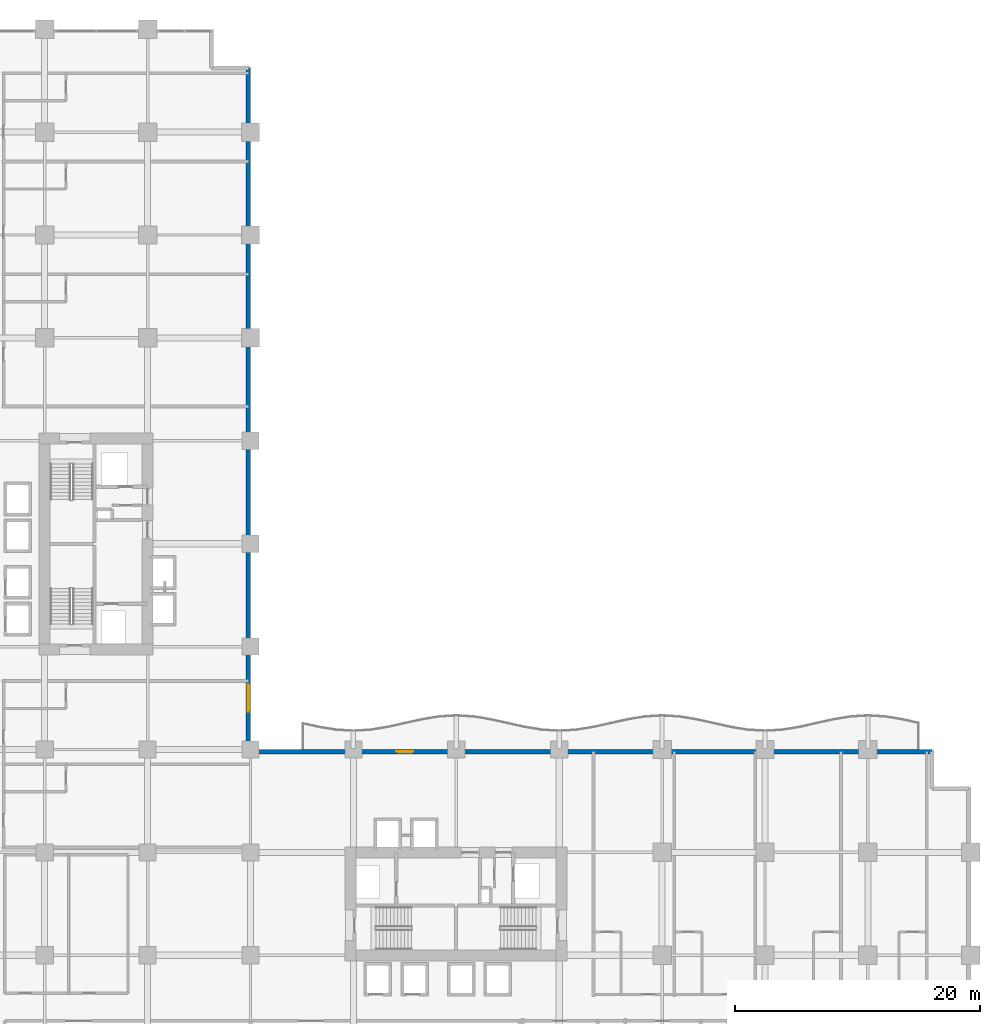
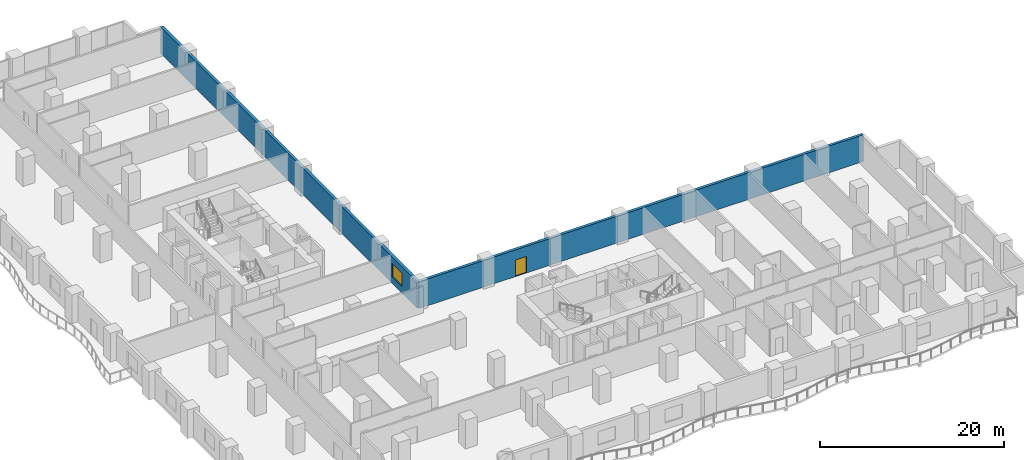
# One storey, part 12 of 21: 2 walls, 1 door, 1 window, 2 openings.
"""IFC4 building model written with IfcOpenShell, lengths in metres."""

from ifc_helpers import new_model, si_unit, direction, frame, frame_2d, origin, place, context, subcontext, project, spatial, rectangle, extrude, material, layer, layer_set, type_object, element, fill, save


model = new_model("IFC4")

# Units and contexts
model_context = context("Model", 3, precision=1e-05, world=origin(), true_north=direction((0.0, 1.0)))
body_context = subcontext(model_context, "Body", "Model", "MODEL_VIEW")
ifc_project = project(units=[si_unit("LENGTHUNIT", "METRE"), si_unit("AREAUNIT", "SQUARE_METRE"), si_unit("VOLUMEUNIT", "CUBIC_METRE"), si_unit("PLANEANGLEUNIT", "RADIAN"), si_unit("MASSUNIT", "GRAM", prefix="KILO")], contexts=[model_context])

# Site, building, storey
site_placement = place(None, origin())
site = spatial("IfcSite", under=ifc_project, at=site_placement, CompositionType="ELEMENT")
building_placement = place(site_placement, origin())
building = spatial("IfcBuilding", under=site, at=building_placement, Name="Koriwani Terraces Tower", CompositionType="ELEMENT")
storey_placement = place(building_placement, frame((0.0, 0.0, 77.60009765625)))
storey = spatial("IfcBuildingStorey", under=building, at=storey_placement, Name="L18", CompositionType="ELEMENT", Elevation=77.60009765625)

# Wall, opening, window
ifc_material_1 = material(Name="Concrete C50/60", Category="concrete")
ifc_layer = layer(ifc_material_1, 0.35009765625, Name="Concrete C50/60")
ifc_layer_set = layer_set([ifc_layer], Name="Concrete C50/60")
wall_type = type_object("IfcWallType", Name="WALL_EXT_BRUTALIST_350", PredefinedType="STANDARD", material=ifc_layer_set)
wall_1_placement = place(storey_placement, frame((33.425048828125, 89.22509765625, 0.0), z_axis=(0.0, 0.0, 1.0), x_axis=(0.0, -1.0, 0.0)))
wall_1 = element("IfcWall", 1, at=wall_1_placement, inside=storey, type_object=wall_type, Name="L18 Fair-Faced Brutalist Exterior Wall (NW_IN)", PredefinedType="STANDARD", context=body_context, shape_type="SweptSolid", body=[
    extrude(rectangle(XDim=55.800048828125, YDim=0.35009765625, at=frame_2d((27.89990234375, 0.0))), origin(), (0.0, 0.0, 1.0), 3.5498046875),
])
opening_1_placement = place(wall_1_placement, frame((50.324951171875, 0.0, 0.85009765625)))
opening_1 = element("IfcOpeningElement", 2, at=opening_1_placement, cuts=wall_1, Name="Opening W-01", PredefinedType="OPENING", context=body_context, shape_type="SweptSolid", body=[
    extrude(rectangle(XDim=2.199951171875, YDim=1.800048828125, at=frame_2d((1.10009765625, 0.89990234375))), frame((0.0, 0.18505859375, 0.0), z_axis=(0.0, -1.0, 0.0), x_axis=(1.0, 0.0, 0.0)), (0.0, 0.0, 1.0), 0.3701171875),
])
ifc_material_2 = material(Name="Tempered Laminated Low-E Glass", Category="glass")
window_type = type_object("IfcWindowType", Name="WIN_HOTEL_STD_2200X1800", PartitioningType="DOUBLE_PANEL_VERTICAL", PredefinedType="WINDOW", material=ifc_material_2)
window_placement = place(opening_1_placement, origin())
window = element("IfcWindow", 3, at=window_placement, inside=storey, type_object=window_type, Name="L18 Exterior Window (NW_IN-2)", OverallHeight=1.800048828125, OverallWidth=2.199951171875, PartitioningType="SINGLE_PANEL", PredefinedType="WINDOW", context=body_context, shape_type="SweptSolid", body=[
    extrude(rectangle(XDim=2.199951171875, YDim=1.800048828125, at=frame_2d((1.10009765625, 0.89990234375))), frame((0.0, 0.030029296875, 0.0), z_axis=(0.0, -1.0, 0.0), x_axis=(1.0, 0.0, 0.0)), (0.0, 0.0, 1.0), 0.06005859375),
])
fill(opening_1, window)

# Wall, opening, door
wall_2_placement = place(storey_placement, frame((33.425048828125, 33.425048828125, 0.0), z_axis=(0.0, 0.0, 1.0), x_axis=(1.0, 0.0, 0.0)))
wall_2 = element("IfcWall", 4, at=wall_2_placement, inside=storey, type_object=wall_type, Name="L18 Fair-Faced Brutalist Exterior Wall (NE)", PredefinedType="STANDARD", context=body_context, shape_type="SweptSolid", body=[
    extrude(rectangle(XDim=55.800048828125, YDim=0.35009765625, at=frame_2d((27.89990234375, 0.0))), origin(), (0.0, 0.0, 1.0), 3.5498046875),
])
opening_2_placement = place(wall_2_placement, frame((12.074951171875, 0.0, 0.0)))
opening_2 = element("IfcOpeningElement", 5, at=opening_2_placement, cuts=wall_2, Name="Opening D-09", PredefinedType="OPENING", context=body_context, shape_type="SweptSolid", body=[
    extrude(rectangle(XDim=1.39990234375, YDim=2.199951171875, at=frame_2d((0.699951171875, 1.10009765625))), frame((0.0, 0.18505859375, 0.0), z_axis=(0.0, -1.0, 0.0), x_axis=(1.0, 0.0, 0.0)), (0.0, 0.0, 1.0), 0.3701171875),
])
ifc_material_3 = material(Name="Anodised Bronze Aluminium", Category="aluminium")
door_type = type_object("IfcDoorType", Name="DOOR_BALCONY_GLAZED_1400X2200", OperationType="NOTDEFINED", PredefinedType="DOOR", material=ifc_material_3)
door_placement = place(opening_2_placement, origin())
door = element("IfcDoor", 6, at=door_placement, inside=storey, type_object=door_type, Name="L18 Inner Court Balcony Glazed Door", OperationType="SINGLE_SWING_LEFT", OverallHeight=2.199951171875, OverallWidth=1.39990234375, PredefinedType="DOOR", context=body_context, shape_type="SweptSolid", body=[
    extrude(rectangle(XDim=1.39990234375, YDim=2.199951171875, at=frame_2d((0.699951171875, 1.10009765625))), frame((0.0, 0.02490234375, 0.0), z_axis=(0.0, -1.0, 0.0), x_axis=(1.0, 0.0, 0.0)), (0.0, 0.0, 1.0), 0.050048828125),
])
fill(opening_2, door)

save(model, "model.ifc")
